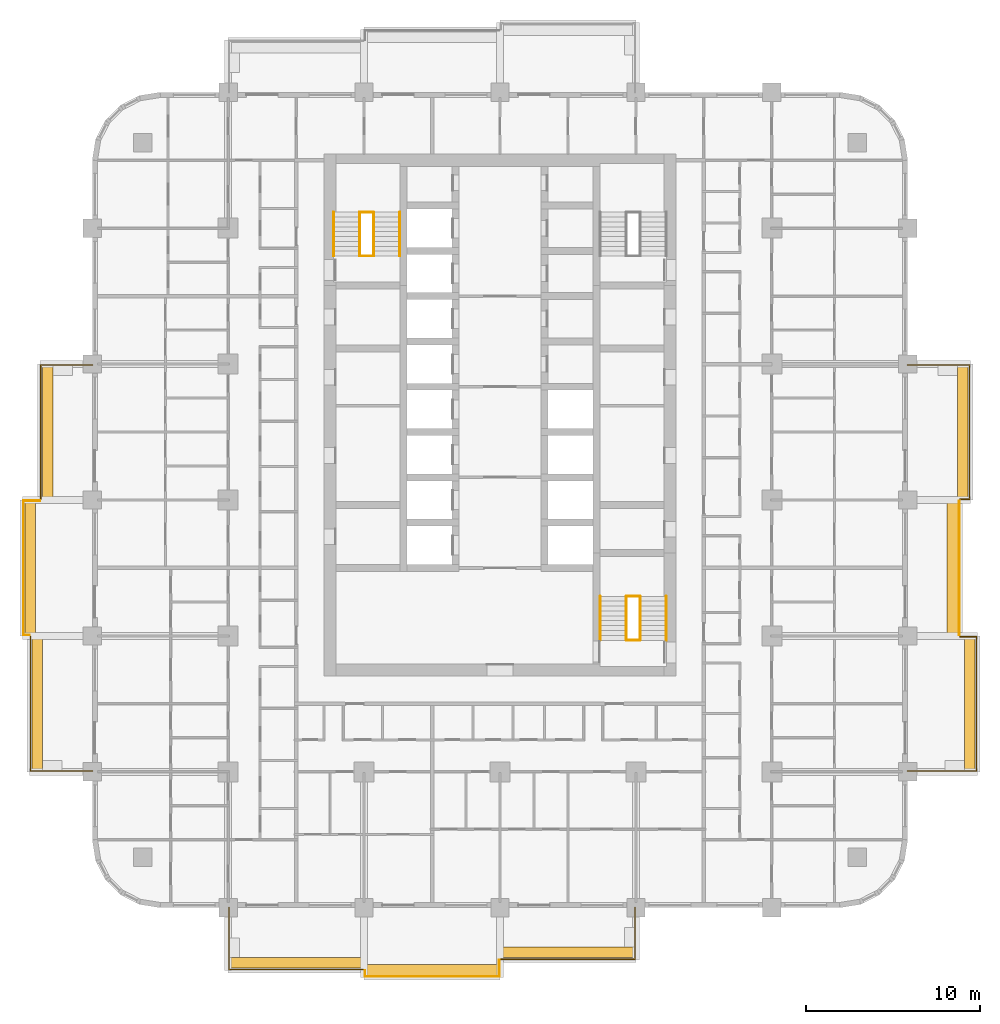
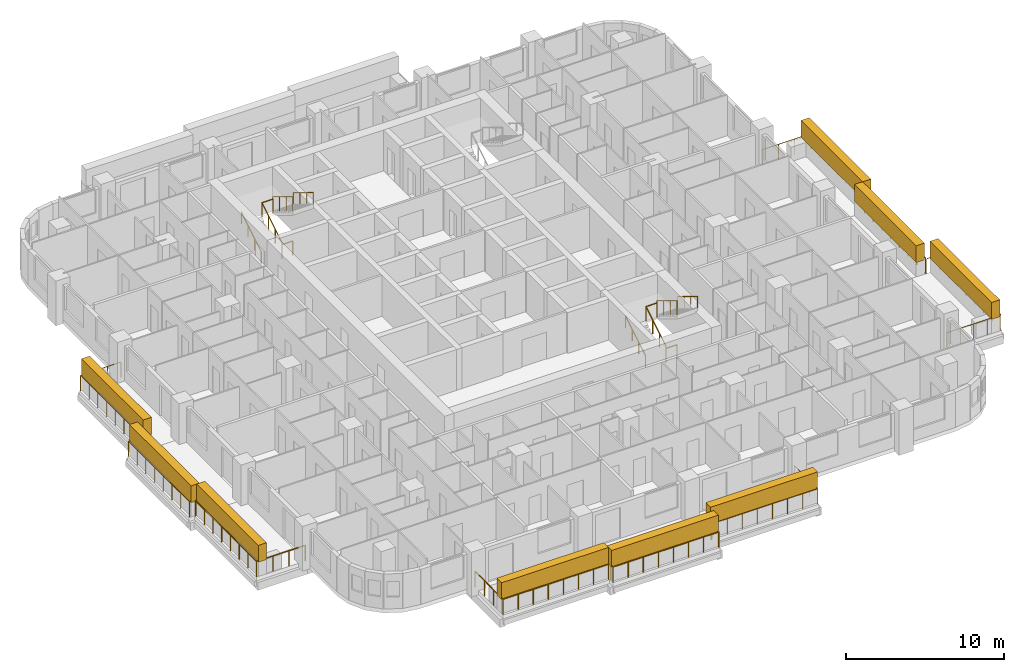
# One storey, part 16 of 17: 21 railings, 9 coverings, 2 elements without a shape of their own.
"""IFC4 building model written with IfcOpenShell, lengths in metres."""

from ifc_helpers import new_model, si_unit, direction, frame, origin, origin_2d, place, context, subcontext, project, spatial, rectangle, circle, extrude, material, layer, layer_set, type_object, element, aggregate, save


model = new_model("IFC4")

# Units and contexts
model_context = context("Model", 3, precision=1e-05, world=origin(), true_north=direction((0.0, 1.0)))
body_context = subcontext(model_context, "Body", "Model", "MODEL_VIEW")
ifc_project = project(units=[si_unit("LENGTHUNIT", "METRE"), si_unit("AREAUNIT", "SQUARE_METRE"), si_unit("VOLUMEUNIT", "CUBIC_METRE"), si_unit("PLANEANGLEUNIT", "RADIAN"), si_unit("MASSUNIT", "GRAM", prefix="KILO")], contexts=[model_context])

# Site, building, storey
site_placement = place(None, origin())
site = spatial("IfcSite", under=ifc_project, at=site_placement, CompositionType="ELEMENT")
building_placement = place(site_placement, origin())
building = spatial("IfcBuilding", under=site, at=building_placement, Name="Ludao Terraces", CompositionType="ELEMENT")
storey_placement = place(building_placement, frame((0.0, 0.0, 51.199951171875)))
storey = spatial("IfcBuildingStorey", under=building, at=storey_placement, Name="L13", CompositionType="ELEMENT", Elevation=51.199951171875)

# Railings
ifc_material_1 = material(Name="Stainless steel 304", Category="steel")
railing_type_1 = type_object("IfcRailingType", Name="ENV Balcony glass guard 1200", PredefinedType="GUARDRAIL", material=ifc_material_1)
railing_1_placement = place(storey_placement, frame((69.449951171875, 41.60009765625, 0.0)))
element("IfcRailing", 1, at=railing_1_placement, inside=storey, type_object=railing_type_1, Name="Balcony guard L13 S1", PredefinedType="GUARDRAIL", context=body_context, shape_type="SweptSolid", body=[
    extrude(circle(Radius=0.02392578125, at=origin_2d()), frame((0.0, 0.0, 1.17578125), z_axis=(0.0, -1.0, 0.0), x_axis=(1.0, 0.0, 0.0)), (0.0, 0.0, 1.0), 3.550048828125),
    extrude(circle(Radius=0.02392578125, at=origin_2d()), frame((0.0, -3.550048828125, 1.17578125), z_axis=(1.0, 0.0, 0.0), x_axis=(0.0, 1.0, 0.0)), (0.0, 0.0, 1.0), 7.699951171875),
    extrude(circle(Radius=0.02099609375, at=origin_2d()), origin(), (0.0, 0.0, 1.0), 1.15185546875),
    extrude(circle(Radius=0.02099609375, at=origin_2d()), frame((0.0, -1.183349609375, 0.0)), (0.0, 0.0, 1.0), 1.15185546875),
    extrude(circle(Radius=0.02099609375, at=origin_2d()), frame((0.0, -2.36669921875, 0.0)), (0.0, 0.0, 1.0), 1.15185546875),
    extrude(circle(Radius=0.02099609375, at=origin_2d()), frame((0.0, -3.550048828125, 0.0)), (0.0, 0.0, 1.0), 1.15185546875),
    extrude(circle(Radius=0.02099609375, at=origin_2d()), frame((1.10009765625, -3.550048828125, 0.0)), (0.0, 0.0, 1.0), 1.15185546875),
    extrude(circle(Radius=0.02099609375, at=origin_2d()), frame((2.199951171875, -3.550048828125, 0.0)), (0.0, 0.0, 1.0), 1.15185546875),
    extrude(circle(Radius=0.02099609375, at=origin_2d()), frame((3.300048828125, -3.550048828125, 0.0)), (0.0, 0.0, 1.0), 1.15185546875),
    extrude(circle(Radius=0.02099609375, at=origin_2d()), frame((4.39990234375, -3.550048828125, 0.0)), (0.0, 0.0, 1.0), 1.15185546875),
    extrude(circle(Radius=0.02099609375, at=origin_2d()), frame((5.5, -3.550048828125, 0.0)), (0.0, 0.0, 1.0), 1.15185546875),
    extrude(circle(Radius=0.02099609375, at=origin_2d()), frame((6.599853515625, -3.550048828125, 0.0)), (0.0, 0.0, 1.0), 1.15185546875),
    extrude(circle(Radius=0.02099609375, at=origin_2d()), frame((7.699951171875, -3.550048828125, 0.0)), (0.0, 0.0, 1.0), 1.15185546875),
])
railing_2_placement = place(storey_placement, frame((77.25, 38.0, 0.0)))
element("IfcRailing", 2, at=railing_2_placement, inside=storey, type_object=railing_type_1, Name="Balcony guard L13 S2", PredefinedType="GUARDRAIL", context=body_context, shape_type="SweptSolid", body=[
    extrude(circle(Radius=0.02392578125, at=origin_2d()), frame((0.0, 0.0, 1.17578125), z_axis=(0.0, -1.0, 0.0), x_axis=(1.0, 0.0, 0.0)), (0.0, 0.0, 1.0), 0.35009765625),
    extrude(circle(Radius=0.02392578125, at=origin_2d()), frame((0.0, -0.35009765625, 1.17578125), z_axis=(1.0, 0.0, 0.0), x_axis=(0.0, 1.0, 0.0)), (0.0, 0.0, 1.0), 7.699951171875),
    extrude(circle(Radius=0.02392578125, at=origin_2d()), frame((7.699951171875, -0.35009765625, 1.17578125), z_axis=(0.0, 1.0, 0.0), x_axis=(-1.0, 0.0, 0.0)), (0.0, 0.0, 1.0), 0.9501953125),
    extrude(circle(Radius=0.02099609375, at=origin_2d()), origin(), (0.0, 0.0, 1.0), 1.15185546875),
    extrude(circle(Radius=0.02099609375, at=origin_2d()), frame((0.0, -0.35009765625, 0.0)), (0.0, 0.0, 1.0), 1.15185546875),
    extrude(circle(Radius=0.02099609375, at=origin_2d()), frame((1.10009765625, -0.35009765625, 0.0)), (0.0, 0.0, 1.0), 1.15185546875),
    extrude(circle(Radius=0.02099609375, at=origin_2d()), frame((2.199951171875, -0.35009765625, 0.0)), (0.0, 0.0, 1.0), 1.15185546875),
    extrude(circle(Radius=0.02099609375, at=origin_2d()), frame((3.300048828125, -0.35009765625, 0.0)), (0.0, 0.0, 1.0), 1.15185546875),
    extrude(circle(Radius=0.02099609375, at=origin_2d()), frame((4.39990234375, -0.35009765625, 0.0)), (0.0, 0.0, 1.0), 1.15185546875),
    extrude(circle(Radius=0.02099609375, at=origin_2d()), frame((5.5, -0.35009765625, 0.0)), (0.0, 0.0, 1.0), 1.15185546875),
    extrude(circle(Radius=0.02099609375, at=origin_2d()), frame((6.599853515625, -0.35009765625, 0.0)), (0.0, 0.0, 1.0), 1.15185546875),
    extrude(circle(Radius=0.02099609375, at=origin_2d()), frame((7.699951171875, -0.35009765625, 0.0)), (0.0, 0.0, 1.0), 1.15185546875),
    extrude(circle(Radius=0.02099609375, at=origin_2d()), frame((7.699951171875, 0.60009765625, 0.0)), (0.0, 0.0, 1.0), 1.15185546875),
])
railing_3_placement = place(storey_placement, frame((85.050048828125, 38.64990234375, 0.0)))
element("IfcRailing", 3, at=railing_3_placement, inside=storey, type_object=railing_type_1, Name="Balcony guard L13 S3", PredefinedType="GUARDRAIL", context=body_context, shape_type="SweptSolid", body=[
    extrude(circle(Radius=0.02392578125, at=origin_2d()), frame((0.0, 0.0, 1.17578125), z_axis=(1.0, 0.0, 0.0), x_axis=(0.0, 1.0, 0.0)), (0.0, 0.0, 1.0), 7.699951171875),
    extrude(circle(Radius=0.02392578125, at=origin_2d()), frame((7.699951171875, 0.0, 1.17578125), z_axis=(0.0, 1.0, 0.0), x_axis=(-1.0, 0.0, 0.0)), (0.0, 0.0, 1.0), 2.9501953125),
    extrude(circle(Radius=0.02099609375, at=origin_2d()), origin(), (0.0, 0.0, 1.0), 1.15185546875),
    extrude(circle(Radius=0.02099609375, at=origin_2d()), frame((1.10009765625, 0.0, 0.0)), (0.0, 0.0, 1.0), 1.15185546875),
    extrude(circle(Radius=0.02099609375, at=origin_2d()), frame((2.199951171875, 0.0, 0.0)), (0.0, 0.0, 1.0), 1.15185546875),
    extrude(circle(Radius=0.02099609375, at=origin_2d()), frame((3.300048828125, 0.0, 0.0)), (0.0, 0.0, 1.0), 1.15185546875),
    extrude(circle(Radius=0.02099609375, at=origin_2d()), frame((4.39990234375, 0.0, 0.0)), (0.0, 0.0, 1.0), 1.15185546875),
    extrude(circle(Radius=0.02099609375, at=origin_2d()), frame((5.5, 0.0, 0.0)), (0.0, 0.0, 1.0), 1.15185546875),
    extrude(circle(Radius=0.02099609375, at=origin_2d()), frame((6.599853515625, 0.0, 0.0)), (0.0, 0.0, 1.0), 1.15185546875),
    extrude(circle(Radius=0.02099609375, at=origin_2d()), frame((7.699951171875, 0.0, 0.0)), (0.0, 0.0, 1.0), 1.15185546875),
    extrude(circle(Radius=0.02099609375, at=origin_2d()), frame((7.699951171875, 0.9833984375, 0.0)), (0.0, 0.0, 1.0), 1.15185546875),
    extrude(circle(Radius=0.02099609375, at=origin_2d()), frame((7.699951171875, 1.966796875, 0.0)), (0.0, 0.0, 1.0), 1.15185546875),
    extrude(circle(Radius=0.02099609375, at=origin_2d()), frame((7.699951171875, 2.9501953125, 0.0)), (0.0, 0.0, 1.0), 1.15185546875),
])
railing_4_placement = place(storey_placement, frame((108.39990234375, 49.449951171875, 0.0)))
element("IfcRailing", 4, at=railing_4_placement, inside=storey, type_object=railing_type_1, Name="Balcony guard L13 E1", PredefinedType="GUARDRAIL", context=body_context, shape_type="SweptSolid", body=[
    extrude(circle(Radius=0.02392578125, at=origin_2d()), frame((0.0, 0.0, 1.17578125), z_axis=(1.0, 0.0, 0.0), x_axis=(0.0, 1.0, 0.0)), (0.0, 0.0, 1.0), 3.9501953125),
    extrude(circle(Radius=0.02392578125, at=origin_2d()), frame((3.9501953125, 0.0, 1.17578125), z_axis=(0.0, 1.0, 0.0), x_axis=(-1.0, 0.0, 0.0)), (0.0, 0.0, 1.0), 7.699951171875),
    extrude(circle(Radius=0.02392578125, at=origin_2d()), frame((3.9501953125, 7.699951171875, 1.17578125), z_axis=(-1.0, 0.0, 0.0), x_axis=(0.0, -1.0, 0.0)), (0.0, 0.0, 1.0), 0.9501953125),
    extrude(circle(Radius=0.02099609375, at=origin_2d()), origin(), (0.0, 0.0, 1.0), 1.15185546875),
    extrude(circle(Radius=0.02099609375, at=origin_2d()), frame((0.987548828125, 0.0, 0.0)), (0.0, 0.0, 1.0), 1.15185546875),
    extrude(circle(Radius=0.02099609375, at=origin_2d()), frame((1.97509765625, 0.0, 0.0)), (0.0, 0.0, 1.0), 1.15185546875),
    extrude(circle(Radius=0.02099609375, at=origin_2d()), frame((2.962646484375, 0.0, 0.0)), (0.0, 0.0, 1.0), 1.15185546875),
    extrude(circle(Radius=0.02099609375, at=origin_2d()), frame((3.9501953125, 0.0, 0.0)), (0.0, 0.0, 1.0), 1.15185546875),
    extrude(circle(Radius=0.02099609375, at=origin_2d()), frame((3.9501953125, 1.10009765625, 0.0)), (0.0, 0.0, 1.0), 1.15185546875),
    extrude(circle(Radius=0.02099609375, at=origin_2d()), frame((3.9501953125, 2.199951171875, 0.0)), (0.0, 0.0, 1.0), 1.15185546875),
    extrude(circle(Radius=0.02099609375, at=origin_2d()), frame((3.9501953125, 3.300048828125, 0.0)), (0.0, 0.0, 1.0), 1.15185546875),
    extrude(circle(Radius=0.02099609375, at=origin_2d()), frame((3.9501953125, 4.39990234375, 0.0)), (0.0, 0.0, 1.0), 1.15185546875),
    extrude(circle(Radius=0.02099609375, at=origin_2d()), frame((3.9501953125, 5.5, 0.0)), (0.0, 0.0, 1.0), 1.15185546875),
    extrude(circle(Radius=0.02099609375, at=origin_2d()), frame((3.9501953125, 6.599853515625, 0.0)), (0.0, 0.0, 1.0), 1.15185546875),
    extrude(circle(Radius=0.02099609375, at=origin_2d()), frame((3.9501953125, 7.699951171875, 0.0)), (0.0, 0.0, 1.0), 1.15185546875),
    extrude(circle(Radius=0.02099609375, at=origin_2d()), frame((3.0, 7.699951171875, 0.0)), (0.0, 0.0, 1.0), 1.15185546875),
])
railing_5_placement = place(storey_placement, frame((111.35009765625, 57.25, 0.0)))
element("IfcRailing", 5, at=railing_5_placement, inside=storey, type_object=railing_type_1, Name="Balcony guard L13 E2", PredefinedType="GUARDRAIL", context=body_context, shape_type="SweptSolid", body=[
    extrude(circle(Radius=0.02392578125, at=origin_2d()), frame((0.0, 0.0, 1.17578125), z_axis=(0.0, 1.0, 0.0), x_axis=(-1.0, 0.0, 0.0)), (0.0, 0.0, 1.0), 7.699951171875),
    extrude(circle(Radius=0.02099609375, at=origin_2d()), origin(), (0.0, 0.0, 1.0), 1.15185546875),
    extrude(circle(Radius=0.02099609375, at=origin_2d()), frame((0.0, 1.10009765625, 0.0)), (0.0, 0.0, 1.0), 1.15185546875),
    extrude(circle(Radius=0.02099609375, at=origin_2d()), frame((0.0, 2.199951171875, 0.0)), (0.0, 0.0, 1.0), 1.15185546875),
    extrude(circle(Radius=0.02099609375, at=origin_2d()), frame((0.0, 3.300048828125, 0.0)), (0.0, 0.0, 1.0), 1.15185546875),
    extrude(circle(Radius=0.02099609375, at=origin_2d()), frame((0.0, 4.39990234375, 0.0)), (0.0, 0.0, 1.0), 1.15185546875),
    extrude(circle(Radius=0.02099609375, at=origin_2d()), frame((0.0, 5.5, 0.0)), (0.0, 0.0, 1.0), 1.15185546875),
    extrude(circle(Radius=0.02099609375, at=origin_2d()), frame((0.0, 6.599853515625, 0.0)), (0.0, 0.0, 1.0), 1.15185546875),
    extrude(circle(Radius=0.02099609375, at=origin_2d()), frame((0.0, 7.699951171875, 0.0)), (0.0, 0.0, 1.0), 1.15185546875),
])
railing_6_placement = place(storey_placement, frame((111.39990234375, 65.050048828125, 0.0)))
element("IfcRailing", 6, at=railing_6_placement, inside=storey, type_object=railing_type_1, Name="Balcony guard L13 E3", PredefinedType="GUARDRAIL", context=body_context, shape_type="SweptSolid", body=[
    extrude(circle(Radius=0.02392578125, at=origin_2d()), frame((0.0, 0.0, 1.17578125), z_axis=(1.0, 0.0, 0.0), x_axis=(0.0, 1.0, 0.0)), (0.0, 0.0, 1.0), 0.550048828125),
    extrude(circle(Radius=0.02392578125, at=origin_2d()), frame((0.550048828125, 0.0, 1.17578125), z_axis=(0.0, 1.0, 0.0), x_axis=(-1.0, 0.0, 0.0)), (0.0, 0.0, 1.0), 7.699951171875),
    extrude(circle(Radius=0.02392578125, at=origin_2d()), frame((0.550048828125, 7.699951171875, 1.17578125), z_axis=(-1.0, 0.0, 0.0), x_axis=(0.0, -1.0, 0.0)), (0.0, 0.0, 1.0), 3.550048828125),
    extrude(circle(Radius=0.02099609375, at=origin_2d()), origin(), (0.0, 0.0, 1.0), 1.15185546875),
    extrude(circle(Radius=0.02099609375, at=origin_2d()), frame((0.550048828125, 0.0, 0.0)), (0.0, 0.0, 1.0), 1.15185546875),
    extrude(circle(Radius=0.02099609375, at=origin_2d()), frame((0.550048828125, 1.10009765625, 0.0)), (0.0, 0.0, 1.0), 1.15185546875),
    extrude(circle(Radius=0.02099609375, at=origin_2d()), frame((0.550048828125, 2.199951171875, 0.0)), (0.0, 0.0, 1.0), 1.15185546875),
    extrude(circle(Radius=0.02099609375, at=origin_2d()), frame((0.550048828125, 3.300048828125, 0.0)), (0.0, 0.0, 1.0), 1.15185546875),
    extrude(circle(Radius=0.02099609375, at=origin_2d()), frame((0.550048828125, 4.39990234375, 0.0)), (0.0, 0.0, 1.0), 1.15185546875),
    extrude(circle(Radius=0.02099609375, at=origin_2d()), frame((0.550048828125, 5.5, 0.0)), (0.0, 0.0, 1.0), 1.15185546875),
    extrude(circle(Radius=0.02099609375, at=origin_2d()), frame((0.550048828125, 6.599853515625, 0.0)), (0.0, 0.0, 1.0), 1.15185546875),
    extrude(circle(Radius=0.02099609375, at=origin_2d()), frame((0.550048828125, 7.699951171875, 0.0)), (0.0, 0.0, 1.0), 1.15185546875),
    extrude(circle(Radius=0.02099609375, at=origin_2d()), frame((-0.63330078125, 7.699951171875, 0.0)), (0.0, 0.0, 1.0), 1.15185546875),
    extrude(circle(Radius=0.02099609375, at=origin_2d()), frame((-1.816650390625, 7.699951171875, 0.0)), (0.0, 0.0, 1.0), 1.15185546875),
    extrude(circle(Radius=0.02099609375, at=origin_2d()), frame((-3.0, 7.699951171875, 0.0)), (0.0, 0.0, 1.0), 1.15185546875),
])
railing_7_placement = place(storey_placement, frame((61.60009765625, 49.449951171875, 0.0)))
element("IfcRailing", 7, at=railing_7_placement, inside=storey, type_object=railing_type_1, Name="Balcony guard L13 W1", PredefinedType="GUARDRAIL", context=body_context, shape_type="SweptSolid", body=[
    extrude(circle(Radius=0.02392578125, at=origin_2d()), frame((0.0, 0.0, 1.17578125), z_axis=(-1.0, 0.0, 0.0), x_axis=(0.0, -1.0, 0.0)), (0.0, 0.0, 1.0), 3.550048828125),
    extrude(circle(Radius=0.02392578125, at=origin_2d()), frame((-3.550048828125, 0.0, 1.17578125), z_axis=(0.0, 1.0, 0.0), x_axis=(-1.0, 0.0, 0.0)), (0.0, 0.0, 1.0), 7.699951171875),
    extrude(circle(Radius=0.02099609375, at=origin_2d()), origin(), (0.0, 0.0, 1.0), 1.15185546875),
    extrude(circle(Radius=0.02099609375, at=origin_2d()), frame((-1.183349609375, 0.0, 0.0)), (0.0, 0.0, 1.0), 1.15185546875),
    extrude(circle(Radius=0.02099609375, at=origin_2d()), frame((-2.36669921875, 0.0, 0.0)), (0.0, 0.0, 1.0), 1.15185546875),
    extrude(circle(Radius=0.02099609375, at=origin_2d()), frame((-3.550048828125, 0.0, 0.0)), (0.0, 0.0, 1.0), 1.15185546875),
    extrude(circle(Radius=0.02099609375, at=origin_2d()), frame((-3.550048828125, 1.10009765625, 0.0)), (0.0, 0.0, 1.0), 1.15185546875),
    extrude(circle(Radius=0.02099609375, at=origin_2d()), frame((-3.550048828125, 2.199951171875, 0.0)), (0.0, 0.0, 1.0), 1.15185546875),
    extrude(circle(Radius=0.02099609375, at=origin_2d()), frame((-3.550048828125, 3.300048828125, 0.0)), (0.0, 0.0, 1.0), 1.15185546875),
    extrude(circle(Radius=0.02099609375, at=origin_2d()), frame((-3.550048828125, 4.39990234375, 0.0)), (0.0, 0.0, 1.0), 1.15185546875),
    extrude(circle(Radius=0.02099609375, at=origin_2d()), frame((-3.550048828125, 5.5, 0.0)), (0.0, 0.0, 1.0), 1.15185546875),
    extrude(circle(Radius=0.02099609375, at=origin_2d()), frame((-3.550048828125, 6.599853515625, 0.0)), (0.0, 0.0, 1.0), 1.15185546875),
    extrude(circle(Radius=0.02099609375, at=origin_2d()), frame((-3.550048828125, 7.699951171875, 0.0)), (0.0, 0.0, 1.0), 1.15185546875),
])
railing_8_placement = place(storey_placement, frame((58.0, 57.25, 0.0)))
element("IfcRailing", 8, at=railing_8_placement, inside=storey, type_object=railing_type_1, Name="Balcony guard L13 W2", PredefinedType="GUARDRAIL", context=body_context, shape_type="SweptSolid", body=[
    extrude(circle(Radius=0.02392578125, at=origin_2d()), frame((0.0, 0.0, 1.17578125), z_axis=(-1.0, 0.0, 0.0), x_axis=(0.0, -1.0, 0.0)), (0.0, 0.0, 1.0), 0.35009765625),
    extrude(circle(Radius=0.02392578125, at=origin_2d()), frame((-0.35009765625, 0.0, 1.17578125), z_axis=(0.0, 1.0, 0.0), x_axis=(-1.0, 0.0, 0.0)), (0.0, 0.0, 1.0), 7.699951171875),
    extrude(circle(Radius=0.02392578125, at=origin_2d()), frame((-0.35009765625, 7.699951171875, 1.17578125), z_axis=(1.0, 0.0, 0.0), x_axis=(0.0, 1.0, 0.0)), (0.0, 0.0, 1.0), 0.9501953125),
    extrude(circle(Radius=0.02099609375, at=origin_2d()), origin(), (0.0, 0.0, 1.0), 1.15185546875),
    extrude(circle(Radius=0.02099609375, at=origin_2d()), frame((-0.35009765625, 0.0, 0.0)), (0.0, 0.0, 1.0), 1.15185546875),
    extrude(circle(Radius=0.02099609375, at=origin_2d()), frame((-0.35009765625, 1.10009765625, 0.0)), (0.0, 0.0, 1.0), 1.15185546875),
    extrude(circle(Radius=0.02099609375, at=origin_2d()), frame((-0.35009765625, 2.199951171875, 0.0)), (0.0, 0.0, 1.0), 1.15185546875),
    extrude(circle(Radius=0.02099609375, at=origin_2d()), frame((-0.35009765625, 3.300048828125, 0.0)), (0.0, 0.0, 1.0), 1.15185546875),
    extrude(circle(Radius=0.02099609375, at=origin_2d()), frame((-0.35009765625, 4.39990234375, 0.0)), (0.0, 0.0, 1.0), 1.15185546875),
    extrude(circle(Radius=0.02099609375, at=origin_2d()), frame((-0.35009765625, 5.5, 0.0)), (0.0, 0.0, 1.0), 1.15185546875),
    extrude(circle(Radius=0.02099609375, at=origin_2d()), frame((-0.35009765625, 6.599853515625, 0.0)), (0.0, 0.0, 1.0), 1.15185546875),
    extrude(circle(Radius=0.02099609375, at=origin_2d()), frame((-0.35009765625, 7.699951171875, 0.0)), (0.0, 0.0, 1.0), 1.15185546875),
    extrude(circle(Radius=0.02099609375, at=origin_2d()), frame((0.60009765625, 7.699951171875, 0.0)), (0.0, 0.0, 1.0), 1.15185546875),
])
railing_9_placement = place(storey_placement, frame((58.64990234375, 65.050048828125, 0.0)))
element("IfcRailing", 9, at=railing_9_placement, inside=storey, type_object=railing_type_1, Name="Balcony guard L13 W3", PredefinedType="GUARDRAIL", context=body_context, shape_type="SweptSolid", body=[
    extrude(circle(Radius=0.02392578125, at=origin_2d()), frame((0.0, 0.0, 1.17578125), z_axis=(0.0, 1.0, 0.0), x_axis=(-1.0, 0.0, 0.0)), (0.0, 0.0, 1.0), 7.699951171875),
    extrude(circle(Radius=0.02392578125, at=origin_2d()), frame((0.0, 7.699951171875, 1.17578125), z_axis=(1.0, 0.0, 0.0), x_axis=(0.0, 1.0, 0.0)), (0.0, 0.0, 1.0), 2.9501953125),
    extrude(circle(Radius=0.02099609375, at=origin_2d()), origin(), (0.0, 0.0, 1.0), 1.15185546875),
    extrude(circle(Radius=0.02099609375, at=origin_2d()), frame((0.0, 1.10009765625, 0.0)), (0.0, 0.0, 1.0), 1.15185546875),
    extrude(circle(Radius=0.02099609375, at=origin_2d()), frame((0.0, 2.199951171875, 0.0)), (0.0, 0.0, 1.0), 1.15185546875),
    extrude(circle(Radius=0.02099609375, at=origin_2d()), frame((0.0, 3.300048828125, 0.0)), (0.0, 0.0, 1.0), 1.15185546875),
    extrude(circle(Radius=0.02099609375, at=origin_2d()), frame((0.0, 4.39990234375, 0.0)), (0.0, 0.0, 1.0), 1.15185546875),
    extrude(circle(Radius=0.02099609375, at=origin_2d()), frame((0.0, 5.5, 0.0)), (0.0, 0.0, 1.0), 1.15185546875),
    extrude(circle(Radius=0.02099609375, at=origin_2d()), frame((0.0, 6.599853515625, 0.0)), (0.0, 0.0, 1.0), 1.15185546875),
    extrude(circle(Radius=0.02099609375, at=origin_2d()), frame((0.0, 7.699951171875, 0.0)), (0.0, 0.0, 1.0), 1.15185546875),
    extrude(circle(Radius=0.02099609375, at=origin_2d()), frame((0.9833984375, 7.699951171875, 0.0)), (0.0, 0.0, 1.0), 1.15185546875),
    extrude(circle(Radius=0.02099609375, at=origin_2d()), frame((1.966796875, 7.699951171875, 0.0)), (0.0, 0.0, 1.0), 1.15185546875),
    extrude(circle(Radius=0.02099609375, at=origin_2d()), frame((2.9501953125, 7.699951171875, 0.0)), (0.0, 0.0, 1.0), 1.15185546875),
])

# Coverings
ifc_material_2 = material(Name="Planting")
ifc_layer = layer(ifc_material_2, 0.60009765625)
ifc_layer_set = layer_set([ifc_layer], Name="ENV Planting hedge 600x1300")
covering_type = type_object("IfcCoveringType", Name="ENV Planting hedge 600x1300", PredefinedType="USERDEFINED", material=ifc_layer_set)
for number, where, z_axis, x_axis, name in (
    (10, (73.300048828125, 38.449951171875, 1.10009765625), (0.0, 0.0, 1.0), (1.0, 0.0, 0.0), "Planting hedge L13-S1"),
    (11, (81.10009765625, 38.050048828125, 1.10009765625), (0.0, 0.0, 1.0), (1.0, 0.0, 0.0), "Planting hedge L13-S2"),
    (12, (88.89990234375, 39.050048828125, 1.10009765625), (0.0, 0.0, 1.0), (1.0, 0.0, 0.0), "Planting hedge L13-S3"),
):
    element("IfcCovering", number, at=place(storey_placement, frame(where, z_axis=z_axis, x_axis=x_axis)), inside=storey, type_object=covering_type, Name=name, ObjectType="PLANTING", PredefinedType="USERDEFINED", context=body_context, shape_type="SweptSolid", body=[
        extrude(rectangle(XDim=7.800048828125, YDim=0.60009765625, at=origin_2d()), origin(), (0.0, 0.0, 1.0), 1.300048828125),
    ])
for number, where, z_axis, x_axis, name in (
    (13, (111.949951171875, 53.300048828125, 1.10009765625), (0.0, 0.0, 1.0), (1.0, 0.0, 0.0), "Planting hedge L13-E1"),
    (14, (110.949951171875, 61.10009765625, 1.10009765625), (0.0, 0.0, 1.0), (1.0, 0.0, 0.0), "Planting hedge L13-E2"),
    (15, (111.550048828125, 68.89990234375, 1.10009765625), (0.0, 0.0, 1.0), (1.0, 0.0, 0.0), "Planting hedge L13-E3"),
    (16, (58.449951171875, 53.300048828125, 1.10009765625), (0.0, 0.0, 1.0), (1.0, 0.0, 0.0), "Planting hedge L13-W1"),
    (17, (58.050048828125, 61.10009765625, 1.10009765625), (0.0, 0.0, 1.0), (1.0, 0.0, 0.0), "Planting hedge L13-W2"),
    (18, (59.050048828125, 68.89990234375, 1.10009765625), (0.0, 0.0, 1.0), (1.0, 0.0, 0.0), "Planting hedge L13-W3"),
):
    element("IfcCovering", number, at=place(storey_placement, frame(where, z_axis=z_axis, x_axis=x_axis)), inside=storey, type_object=covering_type, Name=name, ObjectType="PLANTING", PredefinedType="USERDEFINED", context=body_context, shape_type="SweptSolid", body=[
        extrude(rectangle(XDim=0.60009765625, YDim=7.800048828125, at=origin_2d()), origin(), (0.0, 0.0, 1.0), 1.300048828125),
    ])

# Stair, railings
ifc_material_3 = material(Name="Concrete C40", Category="concrete")
stair_type = type_object("IfcStairType", Name="INT Stair", PredefinedType="HALF_TURN_STAIR", material=ifc_material_3)
stair_1_placement = place(storey_placement, origin())
stair_1 = element("IfcStair", 19, at=stair_1_placement, inside=storey, type_object=stair_type, Name="EXIT STAIR 1", PredefinedType="HALF_TURN_STAIR")
railing_type_2 = type_object("IfcRailingType", Name="INT Stair guard 1100", PredefinedType="GUARDRAIL", material=ifc_material_1)
railing_10_placement = place(storey_placement, frame((76.949951171875, 79.0, 0.170166015625)))
railing_10 = element("IfcRailing", 20, at=railing_10_placement, type_object=railing_type_2, Name="ST-L13-S1-R1G", PredefinedType="GUARDRAIL", context=body_context, shape_type="SweptSolid", body=[
    extrude(circle(Radius=0.02392578125, at=origin_2d()), frame((0.0, 0.0, 1.076171875), z_axis=(0.0, 0.854821627497, 0.518921945155), x_axis=(-1.0, 0.0, 0.0)), (0.0, 0.0, 1.0), 2.947998046875),
    extrude(circle(Radius=0.02099609375, at=origin_2d()), origin(), (0.0, 0.0, 1.0), 1.052001953125),
    extrude(circle(Radius=0.02099609375, at=origin_2d()), frame((0.0, 0.840087890625, 0.510009765625)), (0.0, 0.0, 1.0), 1.052001953125),
    extrude(circle(Radius=0.02099609375, at=origin_2d()), frame((0.0, 1.679931640625, 1.019775390625)), (0.0, 0.0, 1.0), 1.052001953125),
    extrude(circle(Radius=0.02099609375, at=origin_2d()), frame((0.0, 2.52001953125, 1.52978515625)), (0.0, 0.0, 1.0), 1.052001953125),
])
railing_11_placement = place(storey_placement, frame((77.75, 81.52001953125, 1.8701171875)))
railing_11 = element("IfcRailing", 21, at=railing_11_placement, type_object=railing_type_2, Name="ST-L13-S1-R2G", PredefinedType="GUARDRAIL", context=body_context, shape_type="SweptSolid", body=[
    extrude(circle(Radius=0.02392578125, at=origin_2d()), frame((0.0, 0.0, 1.076171875), z_axis=(0.0, -0.85478489116, 0.518982456201), x_axis=(1.0, 0.0, 0.0)), (0.0, 0.0, 1.0), 2.9482421875),
    extrude(circle(Radius=0.02099609375, at=origin_2d()), origin(), (0.0, 0.0, 1.0), 1.052001953125),
    extrude(circle(Radius=0.02099609375, at=origin_2d()), frame((0.0, -0.840087890625, 0.510009765625)), (0.0, 0.0, 1.0), 1.052001953125),
    extrude(circle(Radius=0.02099609375, at=origin_2d()), frame((0.0, -1.679931640625, 1.02001953125)), (0.0, 0.0, 1.0), 1.052001953125),
    extrude(circle(Radius=0.02099609375, at=origin_2d()), frame((0.0, -2.52001953125, 1.530029296875)), (0.0, 0.0, 1.0), 1.052001953125),
])
railing_12_placement = place(storey_placement, frame((76.949951171875, 81.52001953125, 1.699951171875)))
railing_12 = element("IfcRailing", 22, at=railing_12_placement, type_object=railing_type_2, Name="ST-L13-S1-E1G", PredefinedType="GUARDRAIL", context=body_context, shape_type="SweptSolid", body=[
    extrude(circle(Radius=0.02392578125, at=origin_2d()), frame((0.0, 0.0, 1.076171875), z_axis=(1.0, 0.0, 0.0), x_axis=(0.0, 1.0, 0.0)), (0.0, 0.0, 1.0), 0.800048828125),
    extrude(circle(Radius=0.02099609375, at=origin_2d()), origin(), (0.0, 0.0, 1.0), 1.052001953125),
    extrude(circle(Radius=0.02099609375, at=origin_2d()), frame((0.800048828125, 0.0, 0.0)), (0.0, 0.0, 1.0), 1.052001953125),
])
railing_13_placement = place(storey_placement, frame((76.949951171875, 79.0, 0.0)))
railing_13 = element("IfcRailing", 23, at=railing_13_placement, type_object=railing_type_2, Name="ST-L13-S1-E2G", PredefinedType="GUARDRAIL", context=body_context, shape_type="SweptSolid", body=[
    extrude(circle(Radius=0.02392578125, at=origin_2d()), frame((0.0, 0.0, 1.076171875), z_axis=(1.0, 0.0, 0.0), x_axis=(0.0, 1.0, 0.0)), (0.0, 0.0, 1.0), 0.800048828125),
    extrude(circle(Radius=0.02099609375, at=origin_2d()), origin(), (0.0, 0.0, 1.0), 1.052001953125),
    extrude(circle(Radius=0.02099609375, at=origin_2d()), frame((0.800048828125, 0.0, 0.0)), (0.0, 0.0, 1.0), 1.052001953125),
])

stair_2_placement = place(storey_placement, origin())
stair_2 = element("IfcStair", 24, at=stair_2_placement, inside=storey, type_object=stair_type, Name="EXIT STAIR 3", PredefinedType="HALF_TURN_STAIR")
railing_14_placement = place(storey_placement, frame((92.25, 56.949951171875, 0.170166015625)))
railing_14 = element("IfcRailing", 25, at=railing_14_placement, type_object=railing_type_2, Name="ST-L13-S3-R1G", PredefinedType="GUARDRAIL", context=body_context, shape_type="SweptSolid", body=[
    extrude(circle(Radius=0.02392578125, at=origin_2d()), frame((0.0, 0.0, 1.076171875), z_axis=(0.0, 0.854821627497, 0.518921945155), x_axis=(-1.0, 0.0, 0.0)), (0.0, 0.0, 1.0), 2.947998046875),
    extrude(circle(Radius=0.02099609375, at=origin_2d()), origin(), (0.0, 0.0, 1.0), 1.052001953125),
    extrude(circle(Radius=0.02099609375, at=origin_2d()), frame((0.0, 0.840087890625, 0.510009765625)), (0.0, 0.0, 1.0), 1.052001953125),
    extrude(circle(Radius=0.02099609375, at=origin_2d()), frame((0.0, 1.679931640625, 1.019775390625)), (0.0, 0.0, 1.0), 1.052001953125),
    extrude(circle(Radius=0.02099609375, at=origin_2d()), frame((0.0, 2.52001953125, 1.52978515625)), (0.0, 0.0, 1.0), 1.052001953125),
])
railing_15_placement = place(storey_placement, frame((93.050048828125, 59.469970703125, 1.8701171875)))
railing_15 = element("IfcRailing", 26, at=railing_15_placement, type_object=railing_type_2, Name="ST-L13-S3-R2G", PredefinedType="GUARDRAIL", context=body_context, shape_type="SweptSolid", body=[
    extrude(circle(Radius=0.02392578125, at=origin_2d()), frame((0.0, 0.0, 1.076171875), z_axis=(0.0, -0.85478489116, 0.518982456201), x_axis=(1.0, 0.0, 0.0)), (0.0, 0.0, 1.0), 2.9482421875),
    extrude(circle(Radius=0.02099609375, at=origin_2d()), origin(), (0.0, 0.0, 1.0), 1.052001953125),
    extrude(circle(Radius=0.02099609375, at=origin_2d()), frame((0.0, -0.840087890625, 0.510009765625)), (0.0, 0.0, 1.0), 1.052001953125),
    extrude(circle(Radius=0.02099609375, at=origin_2d()), frame((0.0, -1.679931640625, 1.02001953125)), (0.0, 0.0, 1.0), 1.052001953125),
    extrude(circle(Radius=0.02099609375, at=origin_2d()), frame((0.0, -2.52001953125, 1.530029296875)), (0.0, 0.0, 1.0), 1.052001953125),
])
railing_16_placement = place(storey_placement, frame((92.25, 59.469970703125, 1.699951171875)))
railing_16 = element("IfcRailing", 27, at=railing_16_placement, type_object=railing_type_2, Name="ST-L13-S3-E1G", PredefinedType="GUARDRAIL", context=body_context, shape_type="SweptSolid", body=[
    extrude(circle(Radius=0.02392578125, at=origin_2d()), frame((0.0, 0.0, 1.076171875), z_axis=(1.0, 0.0, 0.0), x_axis=(0.0, 1.0, 0.0)), (0.0, 0.0, 1.0), 0.800048828125),
    extrude(circle(Radius=0.02099609375, at=origin_2d()), origin(), (0.0, 0.0, 1.0), 1.052001953125),
    extrude(circle(Radius=0.02099609375, at=origin_2d()), frame((0.800048828125, 0.0, 0.0)), (0.0, 0.0, 1.0), 1.052001953125),
])
railing_17_placement = place(storey_placement, frame((92.25, 56.949951171875, 0.0)))
railing_17 = element("IfcRailing", 28, at=railing_17_placement, type_object=railing_type_2, Name="ST-L13-S3-E2G", PredefinedType="GUARDRAIL", context=body_context, shape_type="SweptSolid", body=[
    extrude(circle(Radius=0.02392578125, at=origin_2d()), frame((0.0, 0.0, 1.076171875), z_axis=(1.0, 0.0, 0.0), x_axis=(0.0, 1.0, 0.0)), (0.0, 0.0, 1.0), 0.800048828125),
    extrude(circle(Radius=0.02099609375, at=origin_2d()), origin(), (0.0, 0.0, 1.0), 1.052001953125),
    extrude(circle(Radius=0.02099609375, at=origin_2d()), frame((0.800048828125, 0.0, 0.0)), (0.0, 0.0, 1.0), 1.052001953125),
])

# Railing
railing_type_3 = type_object("IfcRailingType", Name="INT Stair handrail 900", PredefinedType="HANDRAIL", material=ifc_material_1)
railing_18_placement = place(storey_placement, frame((75.449951171875, 79.0, 0.170166015625)))
railing_18 = element("IfcRailing", 29, at=railing_18_placement, type_object=railing_type_3, Name="ST-L13-S1-R1H", PredefinedType="HANDRAIL", context=body_context, shape_type="SweptSolid", body=[
    extrude(circle(Radius=0.02392578125, at=origin_2d()), frame((0.0, 0.0, 0.8759765625), z_axis=(0.0, 0.854821627497, 0.518921945155), x_axis=(-1.0, 0.0, 0.0)), (0.0, 0.0, 1.0), 2.947998046875),
    extrude(circle(Radius=0.02099609375, at=origin_2d()), origin(), (0.0, 0.0, 1.0), 0.851806640625),
    extrude(circle(Radius=0.02099609375, at=origin_2d()), frame((0.0, 0.840087890625, 0.510009765625)), (0.0, 0.0, 1.0), 0.851806640625),
    extrude(circle(Radius=0.02099609375, at=origin_2d()), frame((0.0, 1.679931640625, 1.019775390625)), (0.0, 0.0, 1.0), 0.851806640625),
    extrude(circle(Radius=0.02099609375, at=origin_2d()), frame((0.0, 2.52001953125, 1.52978515625)), (0.0, 0.0, 1.0), 0.851806640625),
])

railing_19_placement = place(storey_placement, frame((79.25, 81.52001953125, 1.8701171875)))
railing_19 = element("IfcRailing", 30, at=railing_19_placement, type_object=railing_type_3, Name="ST-L13-S1-R2H", PredefinedType="HANDRAIL", context=body_context, shape_type="SweptSolid", body=[
    extrude(circle(Radius=0.02392578125, at=origin_2d()), frame((0.0, 0.0, 0.8759765625), z_axis=(0.0, -0.85478489116, 0.518982456201), x_axis=(1.0, 0.0, 0.0)), (0.0, 0.0, 1.0), 2.9482421875),
    extrude(circle(Radius=0.02099609375, at=origin_2d()), origin(), (0.0, 0.0, 1.0), 0.851806640625),
    extrude(circle(Radius=0.02099609375, at=origin_2d()), frame((0.0, -0.840087890625, 0.510009765625)), (0.0, 0.0, 1.0), 0.851806640625),
    extrude(circle(Radius=0.02099609375, at=origin_2d()), frame((0.0, -1.679931640625, 1.02001953125)), (0.0, 0.0, 1.0), 0.851806640625),
    extrude(circle(Radius=0.02099609375, at=origin_2d()), frame((0.0, -2.52001953125, 1.530029296875)), (0.0, 0.0, 1.0), 0.851806640625),
])

aggregate(stair_1, [railing_10, railing_18, railing_11, railing_19, railing_12, railing_13])

railing_20_placement = place(storey_placement, frame((90.75, 56.949951171875, 0.170166015625)))
railing_20 = element("IfcRailing", 31, at=railing_20_placement, type_object=railing_type_3, Name="ST-L13-S3-R1H", PredefinedType="HANDRAIL", context=body_context, shape_type="SweptSolid", body=[
    extrude(circle(Radius=0.02392578125, at=origin_2d()), frame((0.0, 0.0, 0.8759765625), z_axis=(0.0, 0.854821627497, 0.518921945155), x_axis=(-1.0, 0.0, 0.0)), (0.0, 0.0, 1.0), 2.947998046875),
    extrude(circle(Radius=0.02099609375, at=origin_2d()), origin(), (0.0, 0.0, 1.0), 0.851806640625),
    extrude(circle(Radius=0.02099609375, at=origin_2d()), frame((0.0, 0.840087890625, 0.510009765625)), (0.0, 0.0, 1.0), 0.851806640625),
    extrude(circle(Radius=0.02099609375, at=origin_2d()), frame((0.0, 1.679931640625, 1.019775390625)), (0.0, 0.0, 1.0), 0.851806640625),
    extrude(circle(Radius=0.02099609375, at=origin_2d()), frame((0.0, 2.52001953125, 1.52978515625)), (0.0, 0.0, 1.0), 0.851806640625),
])

railing_21_placement = place(storey_placement, frame((94.550048828125, 59.469970703125, 1.8701171875)))
railing_21 = element("IfcRailing", 32, at=railing_21_placement, type_object=railing_type_3, Name="ST-L13-S3-R2H", PredefinedType="HANDRAIL", context=body_context, shape_type="SweptSolid", body=[
    extrude(circle(Radius=0.02392578125, at=origin_2d()), frame((0.0, 0.0, 0.8759765625), z_axis=(0.0, -0.85478489116, 0.518982456201), x_axis=(1.0, 0.0, 0.0)), (0.0, 0.0, 1.0), 2.9482421875),
    extrude(circle(Radius=0.02099609375, at=origin_2d()), origin(), (0.0, 0.0, 1.0), 0.851806640625),
    extrude(circle(Radius=0.02099609375, at=origin_2d()), frame((0.0, -0.840087890625, 0.510009765625)), (0.0, 0.0, 1.0), 0.851806640625),
    extrude(circle(Radius=0.02099609375, at=origin_2d()), frame((0.0, -1.679931640625, 1.02001953125)), (0.0, 0.0, 1.0), 0.851806640625),
    extrude(circle(Radius=0.02099609375, at=origin_2d()), frame((0.0, -2.52001953125, 1.530029296875)), (0.0, 0.0, 1.0), 0.851806640625),
])

aggregate(stair_2, [railing_14, railing_20, railing_15, railing_21, railing_16, railing_17])

save(model, "model.ifc")
